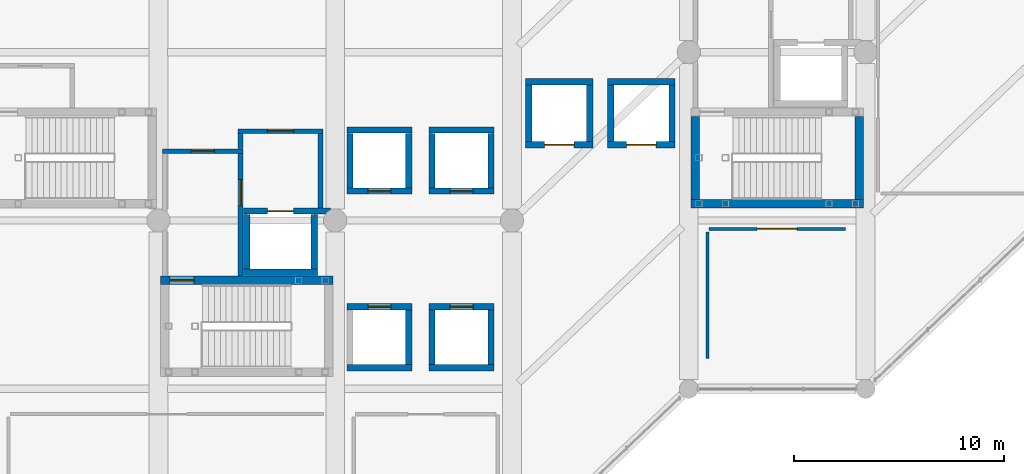
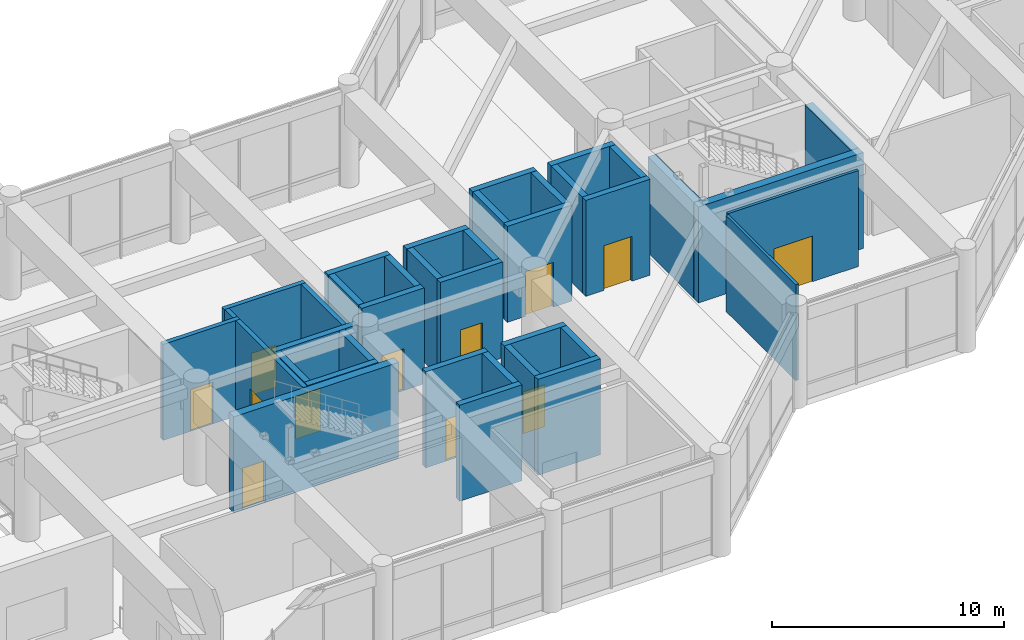
# One storey, part 63 of 79: 38 walls, 12 doors, 12 openings.
"""IFC4 building model written with IfcOpenShell, lengths in metres."""

from ifc_helpers import new_model, si_unit, direction, frame, frame_2d, origin, place, context, subcontext, project, spatial, rectangle, extrude, material, layer, layer_set, type_object, element, fill, save


model = new_model("IFC4")

# Units and contexts
model_context = context("Model", 3, precision=1e-05, world=origin(), true_north=direction((0.0, 1.0)))
body_context = subcontext(model_context, "Body", "Model", "MODEL_VIEW")
ifc_project = project(units=[si_unit("LENGTHUNIT", "METRE"), si_unit("AREAUNIT", "SQUARE_METRE"), si_unit("VOLUMEUNIT", "CUBIC_METRE"), si_unit("PLANEANGLEUNIT", "RADIAN"), si_unit("MASSUNIT", "GRAM", prefix="KILO")], contexts=[model_context])

# Site, building, storey
site_placement = place(None, origin())
site = spatial("IfcSite", under=ifc_project, at=site_placement, CompositionType="ELEMENT")
building_placement = place(site_placement, origin())
building = spatial("IfcBuilding", under=site, at=building_placement, Name="Naruveol Harbour Congress Hotel", CompositionType="ELEMENT")
storey_placement = place(building_placement, frame((0.0, 0.0, 6.0)))
storey = spatial("IfcBuildingStorey", under=building, at=storey_placement, Name="L01", CompositionType="ELEMENT", Elevation=6.0)

# Wall, opening, door
ifc_material_1 = material(Name="Acoustic Double Stud Gypsum", Category="gypsum")
ifc_layer_1 = layer(ifc_material_1, 0.139892578125)
ifc_layer_set_1 = layer_set([ifc_layer_1], Name="Acoustic Double Stud Gypsum")
wall_type_1 = type_object("IfcWallType", Name="ACOUSTIC MEETING PARTITION WALL 140", PredefinedType="PARTITIONING", material=ifc_layer_set_1)
wall_1_placement = place(storey_placement, frame((152.159912109375, 15.60009765625, 0.0), z_axis=(0.0, 0.0, 1.0), x_axis=(1.0, 0.0, 0.0)))
wall_1 = element("IfcWall", 1, at=wall_1_placement, inside=storey, type_object=wall_type_1, Name="VIP Delegates Salon north entry wall PW-140", PredefinedType="PARTITIONING", context=body_context, shape_type="SweptSolid", body=[
    extrude(rectangle(XDim=6.47998046875, YDim=0.139892578125, at=frame_2d((3.239990234375, 0.0))), origin(), (0.0, 0.0, 1.0), 5.044921875),
])
opening_1_placement = place(wall_1_placement, frame((2.2900390625, 0.0, 0.0)))
opening_1 = element("IfcOpeningElement", 2, at=opening_1_placement, cuts=wall_1, Name="Opening ID-LG-54", PredefinedType="OPENING", context=body_context, shape_type="SweptSolid", body=[
    extrude(rectangle(XDim=1.89990234375, YDim=2.39990234375, at=frame_2d((0.949951171875, 1.199951171875))), frame((0.0, 0.079833984375, 0.0), z_axis=(0.0, -1.0, 0.0), x_axis=(1.0, 0.0, 0.0)), (0.0, 0.0, 1.0), 0.159912109375),
])
ifc_material_2 = material(Name="Timber & Steel Acoustic Leaf", Category="steel")
door_type_1 = type_object("IfcDoorType", Name="RESTAURANT AND LOUNGE GLAZED DOOR 1900X2400", OperationType="DOUBLE_DOOR_SINGLE_SWING", PredefinedType="DOOR", material=ifc_material_2)
door_1_placement = place(opening_1_placement, origin())
door_1 = element("IfcDoor", 3, at=door_1_placement, inside=storey, type_object=door_type_1, Name="VIP Delegates Salon Entrance Door", OperationType="DOUBLE_DOOR_SINGLE_SWING", OverallHeight=2.39990234375, OverallWidth=1.89990234375, PredefinedType="DOOR", context=body_context, shape_type="SweptSolid", body=[
    extrude(rectangle(XDim=1.89990234375, YDim=2.39990234375, at=frame_2d((0.949951171875, 1.199951171875))), frame((0.0, 0.02490234375, 0.0), z_axis=(0.0, -1.0, 0.0), x_axis=(1.0, 0.0, 0.0)), (0.0, 0.0, 1.0), 0.050048828125),
])
fill(opening_1, door_1)

# Wall
wall_2_placement = place(storey_placement, frame((152.080078125, 9.449951171875, 0.0), z_axis=(0.0, 0.0, 1.0), x_axis=(0.0, 1.0, 0.0)))
element("IfcWall", 4, at=wall_2_placement, inside=storey, type_object=wall_type_1, Name="VIP Delegates Salon west partition PW-140", PredefinedType="PARTITIONING", context=body_context, shape_type="SweptSolid", body=[
    extrude(rectangle(XDim=6.010009765625, YDim=0.139892578125, at=frame_2d((3.0048828125, 0.0))), origin(), (0.0, 0.0, 1.0), 5.044921875),
])

# Wall, opening, door
ifc_material_3 = material(Name="Concrete C40/50", Category="concrete")
ifc_layer_2 = layer(ifc_material_3, 0.219970703125)
ifc_layer_set_2 = layer_set([ifc_layer_2], Name="Concrete C40/50")
wall_type_2 = type_object("IfcWallType", Name="FIRE COMPARTMENT AND LOBBY WALL 220 EI120", PredefinedType="PARTITIONING", material=ifc_layer_set_2)
wall_3_placement = place(storey_placement, frame((126.18994140625, 19.300048828125, 0.0), z_axis=(0.0, 0.0, 1.0), x_axis=(1.0, 0.0, 0.0)))
wall_3 = element("IfcWall", 5, at=wall_3_placement, inside=storey, type_object=wall_type_2, Name="Smoke vestibule ST1 north wall FW-220", PredefinedType="PARTITIONING", context=body_context, shape_type="SweptSolid", body=[
    extrude(rectangle(XDim=3.820068359375, YDim=0.219970703125, at=frame_2d((1.91015625, 0.0))), origin(), (0.0, 0.0, 1.0), 5.044921875),
])
opening_2_placement = place(wall_3_placement, frame((1.35009765625, 0.0, 0.0)))
opening_2 = element("IfcOpeningElement", 6, at=opening_2_placement, cuts=wall_3, Name="Opening FD-ST1-V-L01", PredefinedType="OPENING", context=body_context, shape_type="SweptSolid", body=[
    extrude(rectangle(XDim=1.1201171875, YDim=2.199951171875, at=frame_2d((0.56005859375, 1.10009765625))), frame((0.0, 0.119873046875, 0.0), z_axis=(0.0, -1.0, 0.0), x_axis=(1.0, 0.0, 0.0)), (0.0, 0.0, 1.0), 0.239990234375),
])
ifc_material_4 = material(Name="Timber & Steel Acoustic Leaf", Category="steel")
door_type_2 = type_object("IfcDoorType", Name="VESTIBULE SMOKE CONTROL FIRE DOOR 1120X2200", OperationType="NOTDEFINED", PredefinedType="DOOR", material=ifc_material_4)
door_2_placement = place(opening_2_placement, origin())
door_2 = element("IfcDoor", 7, at=door_2_placement, inside=storey, type_object=door_type_2, Name="Smoke Vestibule Entry Door ST1 L01", OperationType="SINGLE_SWING_LEFT", OverallHeight=2.199951171875, OverallWidth=1.1201171875, PredefinedType="DOOR", context=body_context, shape_type="SweptSolid", body=[
    extrude(rectangle(XDim=1.1201171875, YDim=2.199951171875, at=frame_2d((0.56005859375, 1.10009765625))), frame((0.0, 0.02490234375, 0.0), z_axis=(0.0, -1.0, 0.0), x_axis=(1.0, 0.0, 0.0)), (0.0, 0.0, 1.0), 0.050048828125),
])
fill(opening_2, door_2)

wall_4_placement = place(storey_placement, frame((129.89990234375, 13.364990234375, 0.0), z_axis=(0.0, 0.0, 1.0), x_axis=(0.0, 1.0, 0.0)))
wall_4 = element("IfcWall", 8, at=wall_4_placement, inside=storey, type_object=wall_type_2, Name="Smoke vestibule ST1 east wall FW-220", PredefinedType="PARTITIONING", context=body_context, shape_type="SweptSolid", body=[
    extrude(rectangle(XDim=5.820068359375, YDim=0.219970703125, at=frame_2d((2.91015625, 0.0))), origin(), (0.0, 0.0, 1.0), 5.044921875),
])
opening_3_placement = place(wall_4_placement, frame((3.3349609375, 0.0, 0.0)))
opening_3 = element("IfcOpeningElement", 9, at=opening_3_placement, cuts=wall_4, Name="Opening FD-FFL-ST1-L01", PredefinedType="OPENING", context=body_context, shape_type="SweptSolid", body=[
    extrude(rectangle(XDim=1.239990234375, YDim=2.199951171875, at=frame_2d((0.6201171875, 1.10009765625))), frame((0.0, 0.119873046875, 0.0), z_axis=(0.0, -1.0, 0.0), x_axis=(1.0, 0.0, 0.0)), (0.0, 0.0, 1.0), 0.239990234375),
])
ifc_material_5 = material(Name="Timber & Steel Acoustic Leaf", Category="steel")
door_type_3 = type_object("IfcDoorType", Name="FIREFIGHTING LOBBY FIRE DOOR 1240X2200", OperationType="NOTDEFINED", PredefinedType="DOOR", material=ifc_material_5)
door_3_placement = place(opening_3_placement, origin())
door_3 = element("IfcDoor", 10, at=door_3_placement, inside=storey, type_object=door_type_3, Name="Firefighting Lobby Vestibule Door ST1 L01", OperationType="SINGLE_SWING_RIGHT", OverallHeight=2.199951171875, OverallWidth=1.239990234375, PredefinedType="DOOR", context=body_context, shape_type="SweptSolid", body=[
    extrude(rectangle(XDim=1.239990234375, YDim=2.199951171875, at=frame_2d((0.6201171875, 1.10009765625))), frame((0.0, 0.02490234375, 0.0), z_axis=(0.0, -1.0, 0.0), x_axis=(1.0, 0.0, 0.0)), (0.0, 0.0, 1.0), 0.050048828125),
])
fill(opening_3, door_3)

# Walls
wall_5_placement = place(storey_placement, frame((129.89990234375, 19.4150390625, 0.0), z_axis=(0.0, 0.0, 1.0), x_axis=(0.0, 1.0, 0.0)))
element("IfcWall", 11, at=wall_5_placement, inside=storey, type_object=wall_type_2, Name="Firefighting lift lobby ST1 upper west wall FW-220", PredefinedType="PARTITIONING", context=body_context, shape_type="SweptSolid", body=[
    extrude(rectangle(XDim=0.719970703125, YDim=0.219970703125, at=frame_2d((0.35986328125, 0.0))), origin(), (0.0, 0.0, 1.0), 5.044921875),
])
wall_6_placement = place(storey_placement, frame((133.699951171875, 16.60498046875, 0.0), z_axis=(0.0, 0.0, 1.0), x_axis=(0.0, 1.0, 0.0)))
element("IfcWall", 12, at=wall_6_placement, inside=storey, type_object=wall_type_2, Name="Firefighting lift lobby ST1 east wall FW-220", PredefinedType="PARTITIONING", context=body_context, shape_type="SweptSolid", body=[
    extrude(rectangle(XDim=3.530029296875, YDim=0.219970703125, at=frame_2d((1.76513671875, 0.0))), origin(), (0.0, 0.0, 1.0), 5.044921875),
])

# Wall, opening, door
wall_7_placement = place(storey_placement, frame((129.7900390625, 20.25, 0.0), z_axis=(0.0, 0.0, 1.0), x_axis=(1.0, 0.0, 0.0)))
wall_7 = element("IfcWall", 13, at=wall_7_placement, inside=storey, type_object=wall_type_2, Name="Firefighting lift lobby ST1 north wall FW-220", PredefinedType="PARTITIONING", context=body_context, shape_type="SweptSolid", body=[
    extrude(rectangle(XDim=4.02001953125, YDim=0.219970703125, at=frame_2d((2.010009765625, 0.0))), origin(), (0.0, 0.0, 1.0), 5.044921875),
])
opening_4_placement = place(wall_7_placement, frame((1.389892578125, 0.0, 0.0)))
opening_4 = element("IfcOpeningElement", 14, at=opening_4_placement, cuts=wall_7, Name="Opening FD-FFC-ST1-L01", PredefinedType="OPENING", context=body_context, shape_type="SweptSolid", body=[
    extrude(rectangle(XDim=1.239990234375, YDim=2.199951171875, at=frame_2d((0.6201171875, 1.10009765625))), frame((0.0, 0.119873046875, 0.0), z_axis=(0.0, -1.0, 0.0), x_axis=(1.0, 0.0, 0.0)), (0.0, 0.0, 1.0), 0.239990234375),
])
door_4_placement = place(opening_4_placement, origin())
door_4 = element("IfcDoor", 15, at=door_4_placement, inside=storey, type_object=door_type_3, Name="Firefighting Lobby Corridor Door ST1 L01", OperationType="SINGLE_SWING_LEFT", OverallHeight=2.199951171875, OverallWidth=1.239990234375, PredefinedType="DOOR", context=body_context, shape_type="SweptSolid", body=[
    extrude(rectangle(XDim=1.239990234375, YDim=2.199951171875, at=frame_2d((0.6201171875, 1.10009765625))), frame((0.0, 0.02490234375, 0.0), z_axis=(0.0, -1.0, 0.0), x_axis=(1.0, 0.0, 0.0)), (0.0, 0.0, 1.0), 0.050048828125),
])
fill(opening_4, door_4)

ifc_material_6 = material(Name="Concrete C50/60", Category="concrete")
ifc_layer_3 = layer(ifc_material_6, 0.39990234375)
ifc_layer_set_3 = layer_set([ifc_layer_3], Name="Concrete C50/60")
wall_type_3 = type_object("IfcWallType", Name="RC CORE SHEAR WALL 400 EI120", PredefinedType="SHEAR", material=ifc_layer_set_3)
wall_8_placement = place(storey_placement, frame((126.10009765625, 13.159912109375, 0.0), z_axis=(0.0, 0.0, 1.0), x_axis=(1.0, 0.0, 0.0)))
wall_8 = element("IfcWall", 16, at=wall_8_placement, inside=storey, type_object=wall_type_3, Name="Stair ST1 north core wall CW-400", PredefinedType="SHEAR", context=body_context, shape_type="SweptSolid", body=[
    extrude(rectangle(XDim=8.199951171875, YDim=0.39990234375, at=frame_2d((4.10009765625, 0.0))), origin(), (0.0, 0.0, 1.0), 5.044921875),
])
opening_5_placement = place(wall_8_placement, frame((0.429931640625, 0.0, 0.0)))
opening_5 = element("IfcOpeningElement", 17, at=opening_5_placement, cuts=wall_8, Name="Opening FD-ST1-S-L01", PredefinedType="OPENING", context=body_context, shape_type="SweptSolid", body=[
    extrude(rectangle(XDim=1.159912109375, YDim=2.199951171875, at=frame_2d((0.580078125, 1.10009765625))), frame((0.0, 0.2099609375, 0.0), z_axis=(0.0, -1.0, 0.0), x_axis=(1.0, 0.0, 0.0)), (0.0, 0.0, 1.0), 0.419921875),
])
ifc_material_7 = material(Name="Timber & Steel Acoustic Leaf", Category="steel")
door_type_4 = type_object("IfcDoorType", Name="SPECIAL ESCAPE STAIR FIRE DOOR 1160X2200", OperationType="NOTDEFINED", PredefinedType="DOOR", material=ifc_material_7)
door_5_placement = place(opening_5_placement, origin())
door_5 = element("IfcDoor", 18, at=door_5_placement, inside=storey, type_object=door_type_4, Name="Special Escape Stair Door ST1 L01", OperationType="SINGLE_SWING_RIGHT", OverallHeight=2.199951171875, OverallWidth=1.159912109375, PredefinedType="DOOR", context=body_context, shape_type="SweptSolid", body=[
    extrude(rectangle(XDim=1.159912109375, YDim=2.199951171875, at=frame_2d((0.580078125, 1.10009765625))), frame((0.0, 0.02490234375, 0.0), z_axis=(0.0, -1.0, 0.0), x_axis=(1.0, 0.0, 0.0)), (0.0, 0.0, 1.0), 0.050048828125),
])
fill(opening_5, door_5)

# Walls
wall_9_placement = place(storey_placement, frame((151.300048828125, 16.800048828125, 0.0), z_axis=(0.0, 0.0, 1.0), x_axis=(1.0, 0.0, 0.0)))
element("IfcWall", 19, at=wall_9_placement, inside=storey, type_object=wall_type_3, Name="Stair ST2 south core wall CW-400", PredefinedType="SHEAR", context=body_context, shape_type="SweptSolid", body=[
    extrude(rectangle(XDim=8.199951171875, YDim=0.39990234375, at=frame_2d((4.10009765625, 0.0))), origin(), (0.0, 0.0, 1.0), 5.044921875),
])
for number, where, z_axis, x_axis, name in (
    (20, (159.300048828125, 17.0048828125, 0.0), (0.0, 0.0, 1.0), (0.0, 1.0, 0.0), "Stair ST2 east core wall CW-400"),
    (21, (151.5, 17.0048828125, 0.0), (0.0, 0.0, 1.0), (0.0, 1.0, 0.0), "Stair ST2 west core wall CW-400"),
):
    element("IfcWall", number, at=place(storey_placement, frame(where, z_axis=z_axis, x_axis=x_axis)), inside=storey, type_object=wall_type_3, Name=name, PredefinedType="SHEAR", context=body_context, shape_type="SweptSolid", body=[
        extrude(rectangle(XDim=3.9501953125, YDim=0.39990234375, at=frame_2d((1.97509765625, 0.0))), origin(), (0.0, 0.0, 1.0), 5.044921875),
    ])

# Wall, opening, door
ifc_material_8 = material(Name="Concrete C50/60", Category="concrete")
ifc_layer_4 = layer(ifc_material_8, 0.300048828125)
ifc_layer_set_4 = layer_set([ifc_layer_4], Name="Concrete C50/60")
wall_type_4 = type_object("IfcWallType", Name="RC STAIR AND HOISTWAY SHEAR WALL 300 EI120", PredefinedType="SHEAR", material=ifc_layer_set_4)
wall_10_placement = place(storey_placement, frame((134.949951171875, 17.39990234375, 0.0), z_axis=(0.0, 0.0, 1.0), x_axis=(1.0, 0.0, 0.0)))
wall_10 = element("IfcWall", 22, at=wall_10_placement, inside=storey, type_object=wall_type_4, Name="Hoistway south shear wall PL1 SW-300", PredefinedType="SHEAR", context=body_context, shape_type="SweptSolid", body=[
    extrude(rectangle(XDim=3.10009765625, YDim=0.300048828125, at=frame_2d((1.550048828125, 0.0))), origin(), (0.0, 0.0, 1.0), 5.044921875),
])
opening_6_placement = place(wall_10_placement, frame((1.0, 0.0, 0.0)))
opening_6 = element("IfcOpeningElement", 23, at=opening_6_placement, cuts=wall_10, Name="Opening LD-PL1-L01", PredefinedType="OPENING", context=body_context, shape_type="SweptSolid", body=[
    extrude(rectangle(XDim=1.10009765625, YDim=2.199951171875, at=frame_2d((0.550048828125, 1.10009765625))), frame((0.0, 0.159912109375, 0.0), z_axis=(0.0, -1.0, 0.0), x_axis=(1.0, 0.0, 0.0)), (0.0, 0.0, 1.0), 0.320068359375),
])
ifc_material_9 = material(Name="Stainless Steel Lift Door", Category="steel")
door_type_5 = type_object("IfcDoorType", Name="PASSENGER LIFT LANDING DOOR 1100X2200", OperationType="DOUBLE_DOOR_SLIDING", PredefinedType="DOOR", material=ifc_material_9)
door_6_placement = place(opening_6_placement, origin())
door_6 = element("IfcDoor", 24, at=door_6_placement, inside=storey, type_object=door_type_5, Name="Elevator Landing Door PL1 L01", OperationType="DOUBLE_DOOR_SLIDING", OverallHeight=2.199951171875, OverallWidth=1.10009765625, PredefinedType="DOOR", context=body_context, shape_type="SweptSolid", body=[
    extrude(rectangle(XDim=1.10009765625, YDim=2.199951171875, at=frame_2d((0.550048828125, 1.10009765625))), frame((0.0, 0.02490234375, 0.0), z_axis=(0.0, -1.0, 0.0), x_axis=(1.0, 0.0, 0.0)), (0.0, 0.0, 1.0), 0.050048828125),
])
fill(opening_6, door_6)

# Walls
wall_11_placement = place(storey_placement, frame((137.89990234375, 17.554931640625, 0.0), z_axis=(0.0, 0.0, 1.0), x_axis=(0.0, 1.0, 0.0)))
element("IfcWall", 25, at=wall_11_placement, inside=storey, type_object=wall_type_4, Name="Hoistway east shear wall PL1 SW-300", PredefinedType="SHEAR", context=body_context, shape_type="SweptSolid", body=[
    extrude(rectangle(XDim=2.590087890625, YDim=0.300048828125, at=frame_2d((1.294921875, 0.0))), origin(), (0.0, 0.0, 1.0), 5.044921875),
])
wall_12_placement = place(storey_placement, frame((138.050048828125, 20.300048828125, 0.0), z_axis=(0.0, 0.0, 1.0), x_axis=(-1.0, 0.0, 0.0)))
element("IfcWall", 26, at=wall_12_placement, inside=storey, type_object=wall_type_4, Name="Hoistway north shear wall PL1 SW-300", PredefinedType="SHEAR", context=body_context, shape_type="SweptSolid", body=[
    extrude(rectangle(XDim=3.10009765625, YDim=0.300048828125, at=frame_2d((1.550048828125, 0.0))), origin(), (0.0, 0.0, 1.0), 5.044921875),
])
wall_13_placement = place(storey_placement, frame((135.10009765625, 20.14501953125, 0.0), z_axis=(0.0, 0.0, 1.0), x_axis=(0.0, -1.0, 0.0)))
element("IfcWall", 27, at=wall_13_placement, inside=storey, type_object=wall_type_4, Name="Hoistway west shear wall PL1 SW-300", PredefinedType="SHEAR", context=body_context, shape_type="SweptSolid", body=[
    extrude(rectangle(XDim=2.590087890625, YDim=0.300048828125, at=frame_2d((1.294921875, 0.0))), origin(), (0.0, 0.0, 1.0), 5.044921875),
])

# Wall, opening, door
wall_14_placement = place(storey_placement, frame((138.85009765625, 17.39990234375, 0.0), z_axis=(0.0, 0.0, 1.0), x_axis=(1.0, 0.0, 0.0)))
wall_14 = element("IfcWall", 28, at=wall_14_placement, inside=storey, type_object=wall_type_4, Name="Hoistway south shear wall PL2 SW-300", PredefinedType="SHEAR", context=body_context, shape_type="SweptSolid", body=[
    extrude(rectangle(XDim=3.099853515625, YDim=0.300048828125, at=frame_2d((1.5498046875, 0.0))), origin(), (0.0, 0.0, 1.0), 5.044921875),
])
opening_7_placement = place(wall_14_placement, frame((1.0, 0.0, 0.0)))
opening_7 = element("IfcOpeningElement", 29, at=opening_7_placement, cuts=wall_14, Name="Opening LD-PL2-L01", PredefinedType="OPENING", context=body_context, shape_type="SweptSolid", body=[
    extrude(rectangle(XDim=1.10009765625, YDim=2.199951171875, at=frame_2d((0.550048828125, 1.10009765625))), frame((0.0, 0.159912109375, 0.0), z_axis=(0.0, -1.0, 0.0), x_axis=(1.0, 0.0, 0.0)), (0.0, 0.0, 1.0), 0.320068359375),
])
door_7_placement = place(opening_7_placement, origin())
door_7 = element("IfcDoor", 30, at=door_7_placement, inside=storey, type_object=door_type_5, Name="Elevator Landing Door PL2 L01", OperationType="DOUBLE_DOOR_SLIDING", OverallHeight=2.199951171875, OverallWidth=1.10009765625, PredefinedType="DOOR", context=body_context, shape_type="SweptSolid", body=[
    extrude(rectangle(XDim=1.10009765625, YDim=2.199951171875, at=frame_2d((0.550048828125, 1.10009765625))), frame((0.0, 0.02490234375, 0.0), z_axis=(0.0, -1.0, 0.0), x_axis=(1.0, 0.0, 0.0)), (0.0, 0.0, 1.0), 0.050048828125),
])
fill(opening_7, door_7)

# Walls
wall_15_placement = place(storey_placement, frame((141.800048828125, 17.554931640625, 0.0), z_axis=(0.0, 0.0, 1.0), x_axis=(0.0, 1.0, 0.0)))
element("IfcWall", 31, at=wall_15_placement, inside=storey, type_object=wall_type_4, Name="Hoistway east shear wall PL2 SW-300", PredefinedType="SHEAR", context=body_context, shape_type="SweptSolid", body=[
    extrude(rectangle(XDim=2.590087890625, YDim=0.300048828125, at=frame_2d((1.294921875, 0.0))), origin(), (0.0, 0.0, 1.0), 5.044921875),
])
wall_16_placement = place(storey_placement, frame((141.949951171875, 20.300048828125, 0.0), z_axis=(0.0, 0.0, 1.0), x_axis=(-1.0, 0.0, 0.0)))
element("IfcWall", 32, at=wall_16_placement, inside=storey, type_object=wall_type_4, Name="Hoistway north shear wall PL2 SW-300", PredefinedType="SHEAR", context=body_context, shape_type="SweptSolid", body=[
    extrude(rectangle(XDim=3.099853515625, YDim=0.300048828125, at=frame_2d((1.5498046875, 0.0))), origin(), (0.0, 0.0, 1.0), 5.044921875),
])
wall_17_placement = place(storey_placement, frame((139.0, 20.14501953125, 0.0), z_axis=(0.0, 0.0, 1.0), x_axis=(0.0, -1.0, 0.0)))
element("IfcWall", 33, at=wall_17_placement, inside=storey, type_object=wall_type_4, Name="Hoistway west shear wall PL2 SW-300", PredefinedType="SHEAR", context=body_context, shape_type="SweptSolid", body=[
    extrude(rectangle(XDim=2.590087890625, YDim=0.300048828125, at=frame_2d((1.294921875, 0.0))), origin(), (0.0, 0.0, 1.0), 5.044921875),
])
wall_18_placement = place(storey_placement, frame((134.949951171875, 9.0, 0.0), z_axis=(0.0, 0.0, 1.0), x_axis=(1.0, 0.0, 0.0)))
element("IfcWall", 34, at=wall_18_placement, inside=storey, type_object=wall_type_4, Name="Hoistway south shear wall PL3 SW-300", PredefinedType="SHEAR", context=body_context, shape_type="SweptSolid", body=[
    extrude(rectangle(XDim=3.10009765625, YDim=0.300048828125, at=frame_2d((1.550048828125, 0.0))), origin(), (0.0, 0.0, 1.0), 5.044921875),
])
wall_19_placement = place(storey_placement, frame((137.89990234375, 9.155029296875, 0.0), z_axis=(0.0, 0.0, 1.0), x_axis=(0.0, 1.0, 0.0)))
element("IfcWall", 35, at=wall_19_placement, inside=storey, type_object=wall_type_4, Name="Hoistway east shear wall PL3 SW-300", PredefinedType="SHEAR", context=body_context, shape_type="SweptSolid", body=[
    extrude(rectangle(XDim=2.590087890625, YDim=0.300048828125, at=frame_2d((1.294921875, 0.0))), origin(), (0.0, 0.0, 1.0), 5.044921875),
])

# Wall, opening, door
wall_20_placement = place(storey_placement, frame((138.050048828125, 11.89990234375, 0.0), z_axis=(0.0, 0.0, 1.0), x_axis=(-1.0, 0.0, 0.0)))
wall_20 = element("IfcWall", 36, at=wall_20_placement, inside=storey, type_object=wall_type_4, Name="Hoistway north shear wall PL3 SW-300", PredefinedType="SHEAR", context=body_context, shape_type="SweptSolid", body=[
    extrude(rectangle(XDim=3.10009765625, YDim=0.300048828125, at=frame_2d((1.550048828125, 0.0))), origin(), (0.0, 0.0, 1.0), 5.044921875),
])
opening_8_placement = place(wall_20_placement, frame((1.0, 0.0, 0.0)))
opening_8 = element("IfcOpeningElement", 37, at=opening_8_placement, cuts=wall_20, Name="Opening LD-PL3-L01", PredefinedType="OPENING", context=body_context, shape_type="SweptSolid", body=[
    extrude(rectangle(XDim=1.10009765625, YDim=2.199951171875, at=frame_2d((0.550048828125, 1.10009765625))), frame((0.0, 0.159912109375, 0.0), z_axis=(0.0, -1.0, 0.0), x_axis=(1.0, 0.0, 0.0)), (0.0, 0.0, 1.0), 0.320068359375),
])
door_8_placement = place(opening_8_placement, origin())
door_8 = element("IfcDoor", 38, at=door_8_placement, inside=storey, type_object=door_type_5, Name="Elevator Landing Door PL3 L01", OperationType="DOUBLE_DOOR_SLIDING", OverallHeight=2.199951171875, OverallWidth=1.10009765625, PredefinedType="DOOR", context=body_context, shape_type="SweptSolid", body=[
    extrude(rectangle(XDim=1.10009765625, YDim=2.199951171875, at=frame_2d((0.550048828125, 1.10009765625))), frame((0.0, 0.02490234375, 0.0), z_axis=(0.0, -1.0, 0.0), x_axis=(1.0, 0.0, 0.0)), (0.0, 0.0, 1.0), 0.050048828125),
])
fill(opening_8, door_8)

# Walls
wall_21_placement = place(storey_placement, frame((138.85009765625, 9.0, 0.0), z_axis=(0.0, 0.0, 1.0), x_axis=(1.0, 0.0, 0.0)))
element("IfcWall", 39, at=wall_21_placement, inside=storey, type_object=wall_type_4, Name="Hoistway south shear wall PL4 SW-300", PredefinedType="SHEAR", context=body_context, shape_type="SweptSolid", body=[
    extrude(rectangle(XDim=3.099853515625, YDim=0.300048828125, at=frame_2d((1.5498046875, 0.0))), origin(), (0.0, 0.0, 1.0), 5.044921875),
])
wall_22_placement = place(storey_placement, frame((141.800048828125, 9.155029296875, 0.0), z_axis=(0.0, 0.0, 1.0), x_axis=(0.0, 1.0, 0.0)))
element("IfcWall", 40, at=wall_22_placement, inside=storey, type_object=wall_type_4, Name="Hoistway east shear wall PL4 SW-300", PredefinedType="SHEAR", context=body_context, shape_type="SweptSolid", body=[
    extrude(rectangle(XDim=2.590087890625, YDim=0.300048828125, at=frame_2d((1.294921875, 0.0))), origin(), (0.0, 0.0, 1.0), 5.044921875),
])

# Wall, opening, door
wall_23_placement = place(storey_placement, frame((141.949951171875, 11.89990234375, 0.0), z_axis=(0.0, 0.0, 1.0), x_axis=(-1.0, 0.0, 0.0)))
wall_23 = element("IfcWall", 41, at=wall_23_placement, inside=storey, type_object=wall_type_4, Name="Hoistway north shear wall PL4 SW-300", PredefinedType="SHEAR", context=body_context, shape_type="SweptSolid", body=[
    extrude(rectangle(XDim=3.099853515625, YDim=0.300048828125, at=frame_2d((1.5498046875, 0.0))), origin(), (0.0, 0.0, 1.0), 5.044921875),
])
opening_9_placement = place(wall_23_placement, frame((1.0, 0.0, 0.0)))
opening_9 = element("IfcOpeningElement", 42, at=opening_9_placement, cuts=wall_23, Name="Opening LD-PL4-L01", PredefinedType="OPENING", context=body_context, shape_type="SweptSolid", body=[
    extrude(rectangle(XDim=1.10009765625, YDim=2.199951171875, at=frame_2d((0.550048828125, 1.10009765625))), frame((0.0, 0.159912109375, 0.0), z_axis=(0.0, -1.0, 0.0), x_axis=(1.0, 0.0, 0.0)), (0.0, 0.0, 1.0), 0.320068359375),
])
door_9_placement = place(opening_9_placement, origin())
door_9 = element("IfcDoor", 43, at=door_9_placement, inside=storey, type_object=door_type_5, Name="Elevator Landing Door PL4 L01", OperationType="DOUBLE_DOOR_SLIDING", OverallHeight=2.199951171875, OverallWidth=1.10009765625, PredefinedType="DOOR", context=body_context, shape_type="SweptSolid", body=[
    extrude(rectangle(XDim=1.10009765625, YDim=2.199951171875, at=frame_2d((0.550048828125, 1.10009765625))), frame((0.0, 0.02490234375, 0.0), z_axis=(0.0, -1.0, 0.0), x_axis=(1.0, 0.0, 0.0)), (0.0, 0.0, 1.0), 0.050048828125),
])
fill(opening_9, door_9)

# Walls
wall_24_placement = place(storey_placement, frame((139.0, 11.7451171875, 0.0), z_axis=(0.0, 0.0, 1.0), x_axis=(0.0, -1.0, 0.0)))
element("IfcWall", 44, at=wall_24_placement, inside=storey, type_object=wall_type_4, Name="Hoistway west shear wall PL4 SW-300", PredefinedType="SHEAR", context=body_context, shape_type="SweptSolid", body=[
    extrude(rectangle(XDim=2.590087890625, YDim=0.300048828125, at=frame_2d((1.294921875, 0.0))), origin(), (0.0, 0.0, 1.0), 5.044921875),
])
wall_25_placement = place(storey_placement, frame((130.050048828125, 13.550048828125, 0.0), z_axis=(0.0, 0.0, 1.0), x_axis=(1.0, 0.0, 0.0)))
element("IfcWall", 45, at=wall_25_placement, inside=storey, type_object=wall_type_4, Name="Hoistway south shear wall FL1 SW-300", PredefinedType="SHEAR", context=body_context, shape_type="SweptSolid", body=[
    extrude(rectangle(XDim=3.5, YDim=0.300048828125, at=frame_2d((1.75, 0.0))), origin(), (0.0, 0.0, 1.0), 5.044921875),
])
wall_26_placement = place(storey_placement, frame((133.39990234375, 13.705078125, 0.0), z_axis=(0.0, 0.0, 1.0), x_axis=(0.0, 1.0, 0.0)))
element("IfcWall", 46, at=wall_26_placement, inside=storey, type_object=wall_type_4, Name="Hoistway east shear wall FL1 SW-300", PredefinedType="SHEAR", context=body_context, shape_type="SweptSolid", body=[
    extrude(rectangle(XDim=2.58984375, YDim=0.300048828125, at=frame_2d((1.294921875, 0.0))), origin(), (0.0, 0.0, 1.0), 5.044921875),
])

# Wall, opening, door
wall_27_placement = place(storey_placement, frame((134.179931640625, 16.449951171875, 0.0), z_axis=(0.0, 0.0, 1.0), x_axis=(-1.0, 0.0, 0.0)))
wall_27 = element("IfcWall", 47, at=wall_27_placement, inside=storey, type_object=wall_type_4, Name="Hoistway north shear wall FL1 SW-300", PredefinedType="SHEAR", context=body_context, shape_type="SweptSolid", body=[
    extrude(rectangle(XDim=4.1298828125, YDim=0.300048828125, at=frame_2d((2.06494140625, 0.0))), origin(), (0.0, 0.0, 1.0), 5.044921875),
])
opening_10_placement = place(wall_27_placement, frame((1.7548828125, 0.0, 0.0)))
opening_10 = element("IfcOpeningElement", 48, at=opening_10_placement, cuts=wall_27, Name="Opening LD-FL1-L01", PredefinedType="OPENING", context=body_context, shape_type="SweptSolid", body=[
    extrude(rectangle(XDim=1.25, YDim=2.25, at=frame_2d((0.625, 1.125))), frame((0.0, 0.159912109375, 0.0), z_axis=(0.0, -1.0, 0.0), x_axis=(1.0, 0.0, 0.0)), (0.0, 0.0, 1.0), 0.320068359375),
])
ifc_material_10 = material(Name="Stainless Steel Lift Door", Category="steel")
door_type_6 = type_object("IfcDoorType", Name="FIREFIGHTING LIFT LANDING DOOR 1250X2250", OperationType="DOUBLE_DOOR_SLIDING", PredefinedType="DOOR", material=ifc_material_10)
door_10_placement = place(opening_10_placement, origin())
door_10 = element("IfcDoor", 49, at=door_10_placement, inside=storey, type_object=door_type_6, Name="Elevator Landing Door FL1 L01", OperationType="DOUBLE_DOOR_SLIDING", OverallHeight=2.25, OverallWidth=1.25, PredefinedType="DOOR", context=body_context, shape_type="SweptSolid", body=[
    extrude(rectangle(XDim=1.25, YDim=2.25, at=frame_2d((0.625, 1.125))), frame((0.0, 0.02490234375, 0.0), z_axis=(0.0, -1.0, 0.0), x_axis=(1.0, 0.0, 0.0)), (0.0, 0.0, 1.0), 0.050048828125),
])
fill(opening_10, door_10)

# Wall
wall_28_placement = place(storey_placement, frame((130.199951171875, 16.294921875, 0.0), z_axis=(0.0, 0.0, 1.0), x_axis=(0.0, -1.0, 0.0)))
element("IfcWall", 50, at=wall_28_placement, inside=storey, type_object=wall_type_4, Name="Hoistway west shear wall FL1 SW-300", PredefinedType="SHEAR", context=body_context, shape_type="SweptSolid", body=[
    extrude(rectangle(XDim=2.58984375, YDim=0.300048828125, at=frame_2d((1.294921875, 0.0))), origin(), (0.0, 0.0, 1.0), 5.044921875),
])

# Wall, opening, door
wall_29_placement = place(storey_placement, frame((143.449951171875, 19.60009765625, 0.0), z_axis=(0.0, 0.0, 1.0), x_axis=(1.0, 0.0, 0.0)))
wall_29 = element("IfcWall", 51, at=wall_29_placement, inside=storey, type_object=wall_type_4, Name="Hoistway south shear wall GL1 SW-300", PredefinedType="SHEAR", context=body_context, shape_type="SweptSolid", body=[
    extrude(rectangle(XDim=3.199951171875, YDim=0.300048828125, at=frame_2d((1.60009765625, 0.0))), origin(), (0.0, 0.0, 1.0), 5.044921875),
])
opening_11_placement = place(wall_29_placement, frame((0.89990234375, 0.0, 0.0)))
opening_11 = element("IfcOpeningElement", 52, at=opening_11_placement, cuts=wall_29, Name="Opening LD-GL1-L01", PredefinedType="OPENING", context=body_context, shape_type="SweptSolid", body=[
    extrude(rectangle(XDim=1.39990234375, YDim=2.35009765625, at=frame_2d((0.699951171875, 1.175048828125))), frame((0.0, 0.159912109375, 0.0), z_axis=(0.0, -1.0, 0.0), x_axis=(1.0, 0.0, 0.0)), (0.0, 0.0, 1.0), 0.320068359375),
])
ifc_material_11 = material(Name="Stainless Steel Lift Door", Category="steel")
door_type_7 = type_object("IfcDoorType", Name="GOODS LIFT LANDING DOOR 1400X2350", OperationType="DOUBLE_DOOR_SLIDING", PredefinedType="DOOR", material=ifc_material_11)
door_11_placement = place(opening_11_placement, origin())
door_11 = element("IfcDoor", 53, at=door_11_placement, inside=storey, type_object=door_type_7, Name="Elevator Landing Door GL1 L01", OperationType="DOUBLE_DOOR_SLIDING", OverallHeight=2.35009765625, OverallWidth=1.39990234375, PredefinedType="DOOR", context=body_context, shape_type="SweptSolid", body=[
    extrude(rectangle(XDim=1.39990234375, YDim=2.35009765625, at=frame_2d((0.699951171875, 1.175048828125))), frame((0.0, 0.02490234375, 0.0), z_axis=(0.0, -1.0, 0.0), x_axis=(1.0, 0.0, 0.0)), (0.0, 0.0, 1.0), 0.050048828125),
])
fill(opening_11, door_11)

# Walls
wall_30_placement = place(storey_placement, frame((146.5, 19.7548828125, 0.0), z_axis=(0.0, 0.0, 1.0), x_axis=(0.0, 1.0, 0.0)))
element("IfcWall", 54, at=wall_30_placement, inside=storey, type_object=wall_type_4, Name="Hoistway east shear wall GL1 SW-300", PredefinedType="SHEAR", context=body_context, shape_type="SweptSolid", body=[
    extrude(rectangle(XDim=2.690185546875, YDim=0.300048828125, at=frame_2d((1.34521484375, 0.0))), origin(), (0.0, 0.0, 1.0), 5.044921875),
])
wall_31_placement = place(storey_placement, frame((146.64990234375, 22.60009765625, 0.0), z_axis=(0.0, 0.0, 1.0), x_axis=(-1.0, 0.0, 0.0)))
element("IfcWall", 55, at=wall_31_placement, inside=storey, type_object=wall_type_4, Name="Hoistway north shear wall GL1 SW-300", PredefinedType="SHEAR", context=body_context, shape_type="SweptSolid", body=[
    extrude(rectangle(XDim=3.199951171875, YDim=0.300048828125, at=frame_2d((1.60009765625, 0.0))), origin(), (0.0, 0.0, 1.0), 5.044921875),
])
wall_32_placement = place(storey_placement, frame((143.60009765625, 22.445068359375, 0.0), z_axis=(0.0, 0.0, 1.0), x_axis=(0.0, -1.0, 0.0)))
element("IfcWall", 56, at=wall_32_placement, inside=storey, type_object=wall_type_4, Name="Hoistway west shear wall GL1 SW-300", PredefinedType="SHEAR", context=body_context, shape_type="SweptSolid", body=[
    extrude(rectangle(XDim=2.690185546875, YDim=0.300048828125, at=frame_2d((1.34521484375, 0.0))), origin(), (0.0, 0.0, 1.0), 5.044921875),
])

# Wall, opening, door
wall_33_placement = place(storey_placement, frame((147.35009765625, 19.60009765625, 0.0), z_axis=(0.0, 0.0, 1.0), x_axis=(1.0, 0.0, 0.0)))
wall_33 = element("IfcWall", 57, at=wall_33_placement, inside=storey, type_object=wall_type_4, Name="Hoistway south shear wall GL2 SW-300", PredefinedType="SHEAR", context=body_context, shape_type="SweptSolid", body=[
    extrude(rectangle(XDim=3.199951171875, YDim=0.300048828125, at=frame_2d((1.60009765625, 0.0))), origin(), (0.0, 0.0, 1.0), 5.044921875),
])
opening_12_placement = place(wall_33_placement, frame((0.89990234375, 0.0, 0.0)))
opening_12 = element("IfcOpeningElement", 58, at=opening_12_placement, cuts=wall_33, Name="Opening LD-GL2-L01", PredefinedType="OPENING", context=body_context, shape_type="SweptSolid", body=[
    extrude(rectangle(XDim=1.39990234375, YDim=2.35009765625, at=frame_2d((0.699951171875, 1.175048828125))), frame((0.0, 0.159912109375, 0.0), z_axis=(0.0, -1.0, 0.0), x_axis=(1.0, 0.0, 0.0)), (0.0, 0.0, 1.0), 0.320068359375),
])
door_12_placement = place(opening_12_placement, origin())
door_12 = element("IfcDoor", 59, at=door_12_placement, inside=storey, type_object=door_type_7, Name="Elevator Landing Door GL2 L01", OperationType="DOUBLE_DOOR_SLIDING", OverallHeight=2.35009765625, OverallWidth=1.39990234375, PredefinedType="DOOR", context=body_context, shape_type="SweptSolid", body=[
    extrude(rectangle(XDim=1.39990234375, YDim=2.35009765625, at=frame_2d((0.699951171875, 1.175048828125))), frame((0.0, 0.02490234375, 0.0), z_axis=(0.0, -1.0, 0.0), x_axis=(1.0, 0.0, 0.0)), (0.0, 0.0, 1.0), 0.050048828125),
])
fill(opening_12, door_12)

# Walls
wall_34_placement = place(storey_placement, frame((150.39990234375, 19.7548828125, 0.0), z_axis=(0.0, 0.0, 1.0), x_axis=(0.0, 1.0, 0.0)))
element("IfcWall", 60, at=wall_34_placement, inside=storey, type_object=wall_type_4, Name="Hoistway east shear wall GL2 SW-300", PredefinedType="SHEAR", context=body_context, shape_type="SweptSolid", body=[
    extrude(rectangle(XDim=2.690185546875, YDim=0.300048828125, at=frame_2d((1.34521484375, 0.0))), origin(), (0.0, 0.0, 1.0), 5.044921875),
])
wall_35_placement = place(storey_placement, frame((150.550048828125, 22.60009765625, 0.0), z_axis=(0.0, 0.0, 1.0), x_axis=(-1.0, 0.0, 0.0)))
element("IfcWall", 61, at=wall_35_placement, inside=storey, type_object=wall_type_4, Name="Hoistway north shear wall GL2 SW-300", PredefinedType="SHEAR", context=body_context, shape_type="SweptSolid", body=[
    extrude(rectangle(XDim=3.199951171875, YDim=0.300048828125, at=frame_2d((1.60009765625, 0.0))), origin(), (0.0, 0.0, 1.0), 5.044921875),
])
wall_36_placement = place(storey_placement, frame((147.5, 22.445068359375, 0.0), z_axis=(0.0, 0.0, 1.0), x_axis=(0.0, -1.0, 0.0)))
element("IfcWall", 62, at=wall_36_placement, inside=storey, type_object=wall_type_4, Name="Hoistway west shear wall GL2 SW-300", PredefinedType="SHEAR", context=body_context, shape_type="SweptSolid", body=[
    extrude(rectangle(XDim=2.690185546875, YDim=0.300048828125, at=frame_2d((1.34521484375, 0.0))), origin(), (0.0, 0.0, 1.0), 5.044921875),
])

save(model, "model.ifc")
